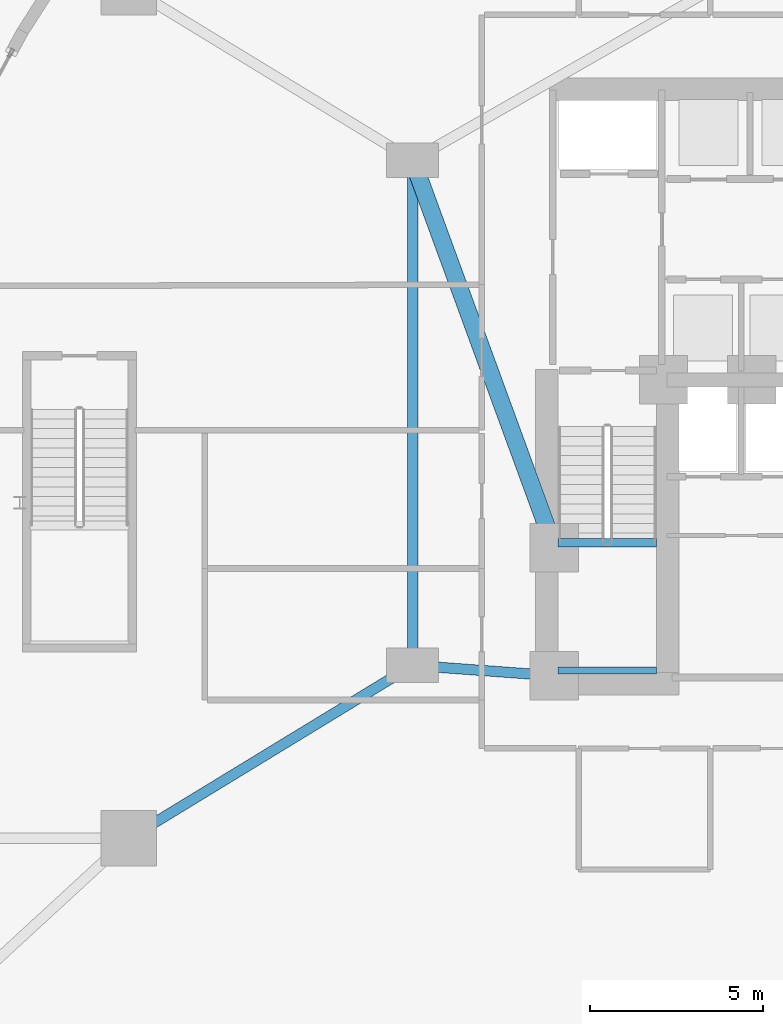
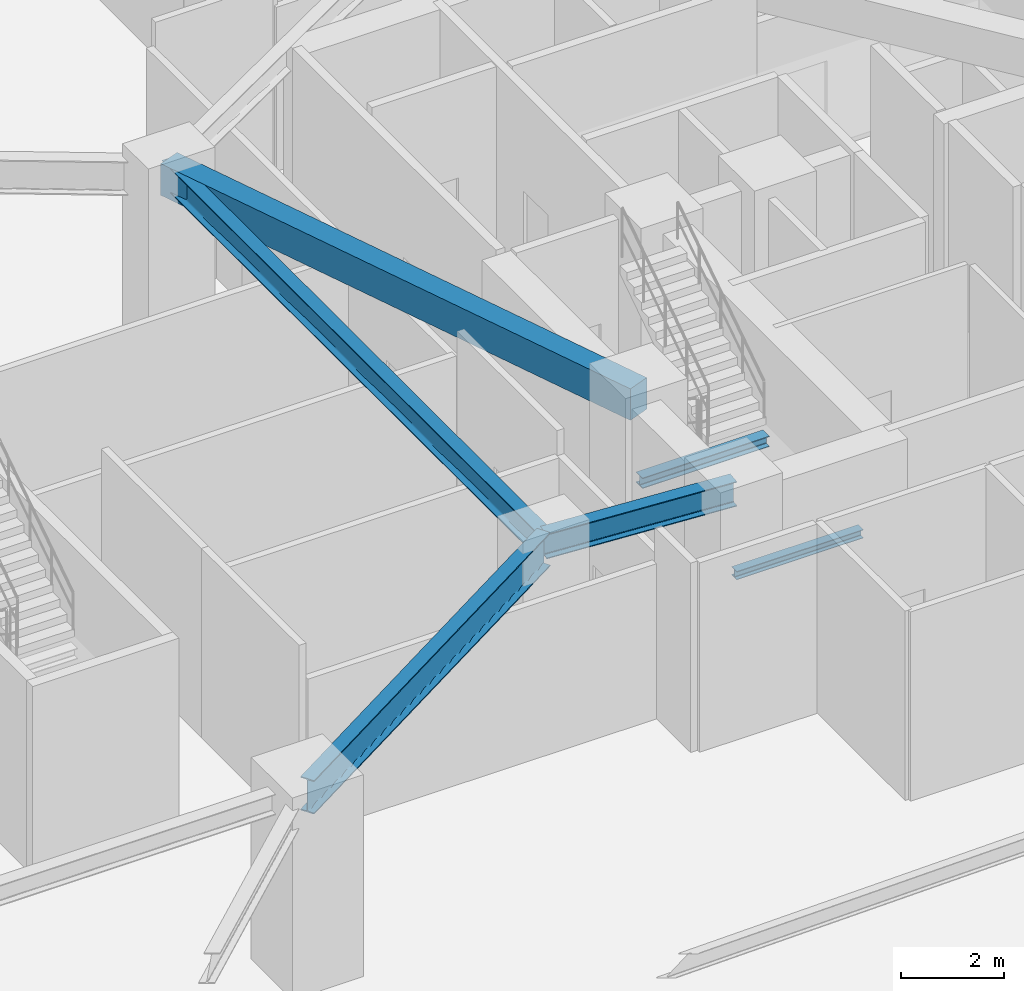
# One storey, part 9 of 32: 6 beams.
"""IFC4 building model written with IfcOpenShell, lengths in metres."""

from ifc_helpers import new_model, si_unit, direction, frame, origin, origin_2d, place, context, subcontext, project, spatial, rectangle, i_section, extrude, material, material_profile, profile_set, type_object, element, save


model = new_model("IFC4")

# Units and contexts
model_context = context("Model", 3, precision=1e-05, world=origin(), true_north=direction((0.0, 1.0)))
body_context = subcontext(model_context, "Body", "Model", "MODEL_VIEW")
ifc_project = project(units=[si_unit("LENGTHUNIT", "METRE"), si_unit("AREAUNIT", "SQUARE_METRE"), si_unit("VOLUMEUNIT", "CUBIC_METRE"), si_unit("PLANEANGLEUNIT", "RADIAN"), si_unit("MASSUNIT", "GRAM", prefix="KILO")], contexts=[model_context])

# Site, building, storey
site_placement = place(None, origin())
site = spatial("IfcSite", under=ifc_project, at=site_placement, CompositionType="ELEMENT")
building_placement = place(site_placement, origin())
building = spatial("IfcBuilding", under=site, at=building_placement, Name="Miruveldt Soraemaru", CompositionType="ELEMENT")
storey_placement = place(building_placement, origin())
storey = spatial("IfcBuildingStorey", under=building, at=storey_placement, Name="L01", CompositionType="ELEMENT", Elevation=0.0)

# Beams
ifc_material_1 = material(Name="Concrete C40/50 (40 MPa)", Category="concrete")
ifc_material_profile_1 = material_profile(ifc_material_1, rectangle(XDim=0.5, YDim=0.75, at=origin_2d()), Name="Concrete C40/50 (40 MPa)", Category="concrete")
ifc_profile_set_1 = profile_set([ifc_material_profile_1], Name="Concrete C40/50 (40 MPa)")
beam_type_1 = type_object("IfcBeamType", Name="BM-RC-500x750", PredefinedType="LINTEL", material=ifc_profile_set_1)
beam_1_placement = place(storey_placement, frame((31.39990234375, 50.39990234375, 4.125), z_axis=(0.343770424598, -0.939053723262, 0.0), x_axis=(0.939053723262, 0.343770424598, 0.0)))
element("IfcBeam", 1, at=beam_1_placement, inside=storey, type_object=beam_type_1, Name="L01 West Lobby Lintel", PredefinedType="LINTEL", context=body_context, shape_type="SweptSolid", body=[
    extrude(rectangle(XDim=0.5, YDim=0.75, at=origin_2d()), origin(), (0.0, 0.0, 1.0), 11.9267578125),
])
ifc_material_2 = material(Name="Steel SM355 (355 MPa)", Category="steel")
ifc_material_profile_2 = material_profile(ifc_material_2, i_section(OverallWidth=0.300048828125, OverallDepth=0.587890625, WebThickness=0.011962890625, FlangeThickness=0.02001953125, FilletRadius=0.028076171875, at=origin_2d()), Name="Steel SM355 (355 MPa)", Category="steel")
ifc_profile_set_2 = profile_set([ifc_material_profile_2], Name="Steel SM355 (355 MPa)")
beam_type_2 = type_object("IfcBeamType", Name="BM-ST-H588", PredefinedType="BEAM", material=ifc_profile_set_2)
beam_2_placement = place(storey_placement, frame((31.39990234375, 35.800048828125, 4.2060546875), z_axis=(0.0, 1.0, 0.0), x_axis=(-1.0, 0.0, 0.0)))
element("IfcBeam", 2, at=beam_2_placement, inside=storey, type_object=beam_type_2, Name="L01 Inner Ring Girder 5", PredefinedType="BEAM", context=body_context, shape_type="SweptSolid", body=[
    extrude(i_section(OverallWidth=0.300048828125, OverallDepth=0.587890625, WebThickness=0.011962890625, FlangeThickness=0.02001953125, FilletRadius=0.028076171875, at=origin_2d()), origin(), (0.0, 0.0, 1.0), 14.599853515625),
])
beam_3_placement = place(storey_placement, frame((35.5, 35.5, 4.2060546875), z_axis=(-0.997332985605, 0.072985723431, 0.0), x_axis=(-0.072985723431, -0.997332985605, 0.0)))
element("IfcBeam", 3, at=beam_3_placement, inside=storey, type_object=beam_type_2, Name="L01 Core-to-Inner Radial Girder 5", PredefinedType="BEAM", context=body_context, shape_type="SweptSolid", body=[
    extrude(i_section(OverallWidth=0.300048828125, OverallDepth=0.587890625, WebThickness=0.011962890625, FlangeThickness=0.02001953125, FilletRadius=0.028076171875, at=origin_2d()), origin(), (0.0, 0.0, 1.0), 4.111083984375),
])
ifc_material_3 = material(Name="Steel S460 (460 MPa)", Category="steel")
ifc_material_profile_3 = material_profile(ifc_material_3, i_section(OverallWidth=0.300048828125, OverallDepth=0.800048828125, WebThickness=0.013916015625, FlangeThickness=0.02587890625, FilletRadius=0.028076171875, at=origin_2d()), Name="Steel S460 (460 MPa)", Category="steel")
ifc_profile_set_3 = profile_set([ifc_material_profile_3], Name="Steel S460 (460 MPa)")
beam_type_3 = type_object("IfcBeamType", Name="BM-ST-H800", PredefinedType="BEAM", material=ifc_profile_set_3)
beam_4_placement = place(storey_placement, frame((31.39990234375, 35.800048828125, 4.10009765625), z_axis=(-0.853794797843, -0.520609684098, 0.0), x_axis=(0.520609684098, -0.853794797843, 0.0)))
element("IfcBeam", 4, at=beam_4_placement, inside=storey, type_object=beam_type_3, Name="L01 Podium Radial Girder 5", PredefinedType="BEAM", context=body_context, shape_type="SweptSolid", body=[
    extrude(i_section(OverallWidth=0.300048828125, OverallDepth=0.800048828125, WebThickness=0.013916015625, FlangeThickness=0.02587890625, FilletRadius=0.028076171875, at=origin_2d()), origin(), (0.0, 0.0, 1.0), 9.60400390625),
])
ifc_material_profile_4 = material_profile(ifc_material_2, i_section(OverallWidth=0.199951171875, OverallDepth=0.199951171875, WebThickness=0.008056640625, FlangeThickness=0.011962890625, FilletRadius=0.012939453125, at=origin_2d()), Name="Steel SM355 (355 MPa)", Category="steel")
ifc_profile_set_4 = profile_set([ifc_material_profile_4], Name="Steel SM355 (355 MPa)")
beam_type_4 = type_object("IfcBeamType", Name="BM-ST-LND200", PredefinedType="BEAM", material=ifc_profile_set_4)
beam_5_placement = place(storey_placement, frame((35.60009765625, 35.64990234375, 2.10009765625), z_axis=(1.0, 0.0, 0.0), x_axis=(0.0, 1.0, 0.0)))
element("IfcBeam", 5, at=beam_5_placement, inside=storey, type_object=beam_type_4, Name="L01 ST1 Landing End Beam 1B", PredefinedType="BEAM", context=body_context, shape_type="SweptSolid", body=[
    extrude(i_section(OverallWidth=0.199951171875, OverallDepth=0.199951171875, WebThickness=0.008056640625, FlangeThickness=0.011962890625, FilletRadius=0.012939453125, at=origin_2d()), origin(), (0.0, 0.0, 1.0), 2.849853515625),
])
ifc_material_profile_5 = material_profile(ifc_material_2, i_section(OverallWidth=0.25, OverallDepth=0.25, WebThickness=0.009033203125, FlangeThickness=0.013916015625, FilletRadius=0.01611328125, at=origin_2d()), Name="Steel SM355 (355 MPa)", Category="steel")
ifc_profile_set_5 = profile_set([ifc_material_profile_5], Name="Steel SM355 (355 MPa)")
beam_type_5 = type_object("IfcBeamType", Name="BM-ST-LND250", PredefinedType="BEAM", material=ifc_profile_set_5)
beam_6_placement = place(storey_placement, frame((35.60009765625, 39.340087890625, 2.074951171875), z_axis=(1.0, 0.0, 0.0), x_axis=(0.0, 1.0, 0.0)))
element("IfcBeam", 6, at=beam_6_placement, inside=storey, type_object=beam_type_5, Name="L01 ST1 Landing Support Beam 1A", PredefinedType="BEAM", context=body_context, shape_type="SweptSolid", body=[
    extrude(i_section(OverallWidth=0.25, OverallDepth=0.25, WebThickness=0.009033203125, FlangeThickness=0.013916015625, FilletRadius=0.01611328125, at=origin_2d()), origin(), (0.0, 0.0, 1.0), 2.849853515625),
])

save(model, "model.ifc")
